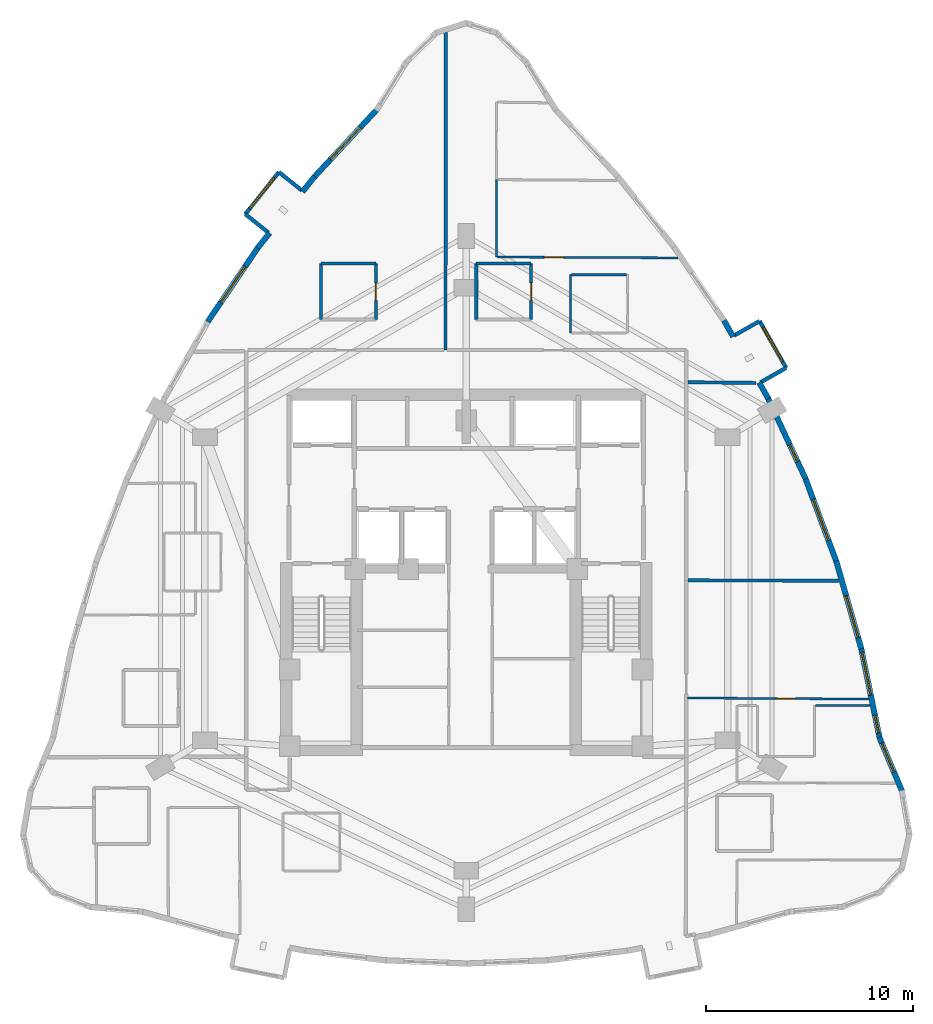
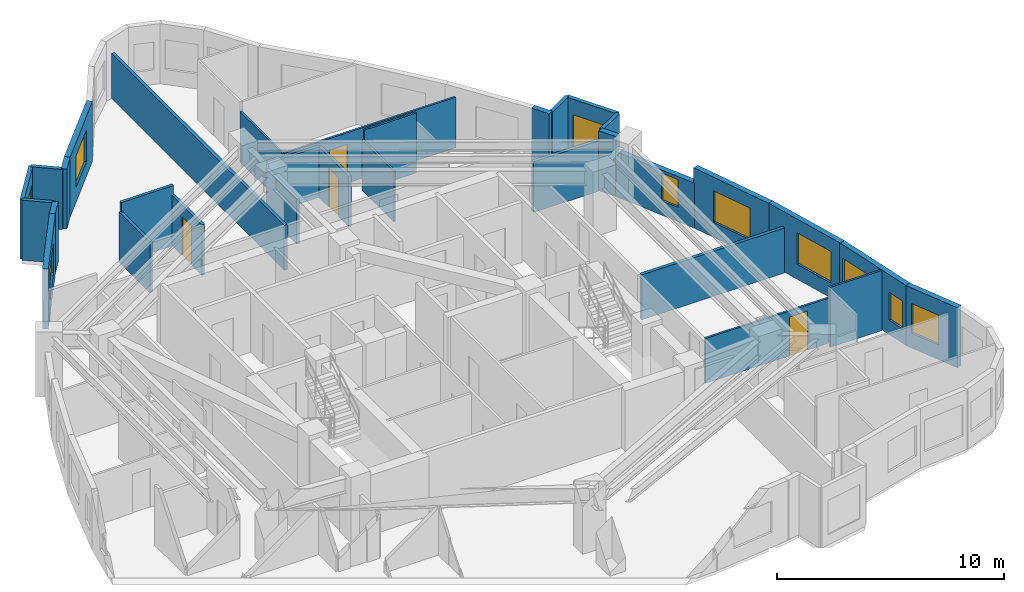
# One storey, part 9 of 11: 32 walls, 10 windows, 4 doors, 14 openings.
"""IFC4 building model written with IfcOpenShell, lengths in metres."""

from ifc_helpers import new_model, si_unit, direction, frame, frame_2d, origin, place, context, subcontext, project, spatial, rectangle, extrude, material, layer, layer_set, type_object, element, fill, save


model = new_model("IFC4")

# Units and contexts
model_context = context("Model", 3, precision=1e-05, world=origin(), true_north=direction((0.0, 1.0)))
body_context = subcontext(model_context, "Body", "Model", "MODEL_VIEW")
ifc_project = project(units=[si_unit("LENGTHUNIT", "METRE"), si_unit("AREAUNIT", "SQUARE_METRE"), si_unit("VOLUMEUNIT", "CUBIC_METRE"), si_unit("PLANEANGLEUNIT", "RADIAN"), si_unit("MASSUNIT", "GRAM", prefix="KILO")], contexts=[model_context])

# Site, building, storey
site_placement = place(None, origin())
site = spatial("IfcSite", under=ifc_project, at=site_placement, CompositionType="ELEMENT")
building_placement = place(site_placement, origin())
building = spatial("IfcBuilding", under=site, at=building_placement, Name="Miruveldt Soraemaru", CompositionType="ELEMENT")
storey_placement = place(building_placement, frame((0.0, 0.0, 156.39990234375)))
storey = spatial("IfcBuildingStorey", under=building, at=storey_placement, Name="L43", CompositionType="ELEMENT", Elevation=156.39990234375)

# Walls
ifc_material_1 = material(Name="White powder-coated aluminium EN AW-6060 T6", Category="aluminium")
ifc_layer_1 = layer(ifc_material_1, 0.18994140625, Name="White powder-coated aluminium EN AW-6060 T6", Category="aluminium")
ifc_layer_set_1 = layer_set([ifc_layer_1], Name="White powder-coated aluminium EN AW-6060 T6")
wall_type_1 = type_object("IfcWallType", Name="WALL-BAY-ALU190", PredefinedType="SOLIDWALL", material=ifc_layer_set_1)
for number, where, z_axis, x_axis, name in (
    (1, (36.082275390625, 62.29296875, 0.0), (0.0, 0.0, 1.0), (-0.781737193764, 0.623608017817, 0.0), "L43 Bay Window Side Cheek 4L"),
    (2, (33.3466796875, 61.149169921875, 0.0), (0.0, 0.0, 1.0), (0.781737193764, -0.623608017817, 0.0), "L43 Bay Window Side Cheek 4R"),
):
    element("IfcWall", number, at=place(storey_placement, frame(where, z_axis=z_axis, x_axis=x_axis)), inside=storey, type_object=wall_type_1, Name=name, PredefinedType="SOLIDWALL", context=body_context, shape_type="SweptSolid", body=[
        extrude(rectangle(XDim=1.425048828125, YDim=0.18994140625, at=frame_2d((0.71240234375, 0.0))), origin(), (0.0, 0.0, 1.0), 3.235107421875),
    ])

# Wall, opening, window
wall_1_placement = place(storey_placement, frame((34.96826171875, 63.181640625, 0.0), z_axis=(0.0, 0.0, 1.0), x_axis=(-0.623663926583, -0.781692590907, 0.0)))
wall_1 = element("IfcWall", 3, at=wall_1_placement, inside=storey, type_object=wall_type_1, Name="L43 Bay Window Front Frame 4", PredefinedType="SOLIDWALL", context=body_context, shape_type="SweptSolid", body=[
    extrude(rectangle(XDim=2.60009765625, YDim=0.18994140625, at=frame_2d((1.300048828125, 0.0))), origin(), (0.0, 0.0, 1.0), 3.235107421875),
])
opening_1_placement = place(wall_1_placement, frame((0.35009765625, 0.0, 0.550048828125)))
opening_1 = element("IfcOpeningElement", 4, at=opening_1_placement, cuts=wall_1, Name="Opening WN-6", PredefinedType="OPENING", context=body_context, shape_type="SweptSolid", body=[
    extrude(rectangle(XDim=1.89990234375, YDim=1.85009765625, at=frame_2d((0.949951171875, 0.925048828125))), frame((0.0, 0.10498046875, 0.0), z_axis=(0.0, -1.0, 0.0), x_axis=(1.0, 0.0, 0.0)), (0.0, 0.0, 1.0), 0.2099609375),
])
ifc_material_2 = material(Name="Triple low-e insulated glazing", Category="glass")
window_type_1 = type_object("IfcWindowType", Name="WIN-BAYW-1900x1850", PartitioningType="SINGLE_PANEL", PredefinedType="WINDOW", material=ifc_material_2)
window_1_placement = place(opening_1_placement, origin())
window_1 = element("IfcWindow", 5, at=window_1_placement, inside=storey, type_object=window_type_1, Name="L43 Projecting Bay Window 4", OverallHeight=1.85009765625, OverallWidth=1.89990234375, PartitioningType="SINGLE_PANEL", PredefinedType="WINDOW", context=body_context, shape_type="SweptSolid", body=[
    extrude(rectangle(XDim=1.89990234375, YDim=1.85009765625, at=frame_2d((0.949951171875, 0.925048828125))), frame((0.0, 0.030029296875, 0.0), z_axis=(0.0, -1.0, 0.0), x_axis=(1.0, 0.0, 0.0)), (0.0, 0.0, 1.0), 0.06005859375),
])
fill(opening_1, window_1)

# Walls
wall_2_placement = place(storey_placement, frame((58.1845703125, 53.0380859375, 0.0), z_axis=(0.0, 0.0, 1.0), x_axis=(0.869799191674, 0.493405883794, 0.0)))
element("IfcWall", 6, at=wall_2_placement, inside=storey, type_object=wall_type_1, Name="L43 Bay Window Side Cheek 3L", PredefinedType="SOLIDWALL", context=body_context, shape_type="SweptSolid", body=[
    extrude(rectangle(XDim=1.425048828125, YDim=0.18994140625, at=frame_2d((0.71240234375, 0.0))), origin(), (0.0, 0.0, 1.0), 3.235107421875),
])
wall_3_placement = place(storey_placement, frame((58.141357421875, 56.002685546875, 0.0), z_axis=(0.0, 0.0, 1.0), x_axis=(-0.869872713252, -0.493276253979, 0.0)))
element("IfcWall", 7, at=wall_3_placement, inside=storey, type_object=wall_type_1, Name="L43 Bay Window Side Cheek 3R", PredefinedType="SOLIDWALL", context=body_context, shape_type="SweptSolid", body=[
    extrude(rectangle(XDim=1.4248046875, YDim=0.18994140625, at=frame_2d((0.71240234375, 0.0))), origin(), (0.0, 0.0, 1.0), 3.235107421875),
])

# Wall, opening, window
wall_4_placement = place(storey_placement, frame((59.424072265625, 53.7412109375, 0.0), z_axis=(0.0, 0.0, 1.0), x_axis=(-0.493365555553, 0.869822067203, 0.0)))
wall_4 = element("IfcWall", 8, at=wall_4_placement, inside=storey, type_object=wall_type_1, Name="L43 Bay Window Front Frame 3", PredefinedType="SOLIDWALL", context=body_context, shape_type="SweptSolid", body=[
    extrude(rectangle(XDim=2.599853515625, YDim=0.18994140625, at=frame_2d((1.2998046875, 0.0))), origin(), (0.0, 0.0, 1.0), 3.235107421875),
])
opening_2_placement = place(wall_4_placement, frame((0.35009765625, 0.0, 0.550048828125)))
opening_2 = element("IfcOpeningElement", 9, at=opening_2_placement, cuts=wall_4, Name="Opening WN-6", PredefinedType="OPENING", context=body_context, shape_type="SweptSolid", body=[
    extrude(rectangle(XDim=1.89990234375, YDim=1.85009765625, at=frame_2d((0.949951171875, 0.925048828125))), frame((0.0, 0.10498046875, 0.0), z_axis=(0.0, -1.0, 0.0), x_axis=(1.0, 0.0, 0.0)), (0.0, 0.0, 1.0), 0.2099609375),
])
window_2_placement = place(opening_2_placement, origin())
window_2 = element("IfcWindow", 10, at=window_2_placement, inside=storey, type_object=window_type_1, Name="L43 Projecting Bay Window 3", OverallHeight=1.85009765625, OverallWidth=1.89990234375, PartitioningType="SINGLE_PANEL", PredefinedType="WINDOW", context=body_context, shape_type="SweptSolid", body=[
    extrude(rectangle(XDim=1.89990234375, YDim=1.85009765625, at=frame_2d((0.949951171875, 0.925048828125))), frame((0.0, 0.030029296875, 0.0), z_axis=(0.0, -1.0, 0.0), x_axis=(1.0, 0.0, 0.0)), (0.0, 0.0, 1.0), 0.06005859375),
])
fill(opening_2, window_2)

ifc_material_3 = material(Name="Precast concrete C45/55 (45 MPa)", Category="concrete")
ifc_layer_2 = layer(ifc_material_3, 0.27001953125, Name="Precast concrete C45/55 (45 MPa)", Category="concrete")
ifc_layer_set_2 = layer_set([ifc_layer_2], Name="Precast concrete C45/55 (45 MPa)")
wall_type_2 = type_object("IfcWallType", Name="WALL-EXT-PC270", PredefinedType="SOLIDWALL", material=ifc_layer_set_2)
wall_5_placement = place(storey_placement, frame((39.70263671875, 66.203369140625, 0.0), z_axis=(0.0, 0.0, 1.0), x_axis=(-0.680872139793, -0.732402300142, 0.0)))
wall_5 = element("IfcWall", 11, at=wall_5_placement, inside=storey, type_object=wall_type_2, Name="L43 Precast Concrete Facade Wall 7", PredefinedType="SOLIDWALL", context=body_context, shape_type="SweptSolid", body=[
    extrude(rectangle(XDim=4.491455078125, YDim=0.27001953125, at=frame_2d((2.24560546875, 0.0))), origin(), (0.0, 0.0, 1.0), 3.235107421875),
])
opening_3_placement = place(wall_5_placement, frame((1.195068359375, 0.0, 0.800048828125)))
opening_3 = element("IfcOpeningElement", 12, at=opening_3_placement, cuts=wall_5, Name="Opening WN-1", PredefinedType="OPENING", context=body_context, shape_type="SweptSolid", body=[
    extrude(rectangle(XDim=2.10009765625, YDim=1.699951171875, at=frame_2d((1.050048828125, 0.85009765625))), frame((0.0, 0.14501953125, 0.0), z_axis=(0.0, -1.0, 0.0), x_axis=(1.0, 0.0, 0.0)), (0.0, 0.0, 1.0), 0.2900390625),
])
window_type_2 = type_object("IfcWindowType", Name="WIN-PUNCH-2100x1700", PartitioningType="SINGLE_PANEL", PredefinedType="WINDOW", material=ifc_material_2)
window_3_placement = place(opening_3_placement, origin())
window_3 = element("IfcWindow", 13, at=window_3_placement, inside=storey, type_object=window_type_2, Name="L43 Punched Triple-Glazed Window 07.1", OverallHeight=1.699951171875, OverallWidth=2.10009765625, PartitioningType="SINGLE_PANEL", PredefinedType="WINDOW", context=body_context, shape_type="SweptSolid", body=[
    extrude(rectangle(XDim=2.10009765625, YDim=1.699951171875, at=frame_2d((1.050048828125, 0.85009765625))), frame((0.0, 0.030029296875, 0.0), z_axis=(0.0, -1.0, 0.0), x_axis=(1.0, 0.0, 0.0)), (0.0, 0.0, 1.0), 0.06005859375),
])
fill(opening_3, window_3)

# Walls
wall_6_placement = place(storey_placement, frame((36.690185546875, 62.966796875, 0.0), z_axis=(0.0, 0.0, 1.0), x_axis=(-0.623485377365, -0.781835010863, 0.0)))
element("IfcWall", 14, at=wall_6_placement, inside=storey, type_object=wall_type_2, Name="L43 Precast Pier Wall 8A", PredefinedType="SOLIDWALL", context=body_context, shape_type="SweptSolid", body=[
    extrude(rectangle(XDim=0.935791015625, YDim=0.27001953125, at=frame_2d((0.4677734375, 0.0))), origin(), (0.0, 0.0, 1.0), 3.235107421875),
])
wall_7_placement = place(storey_placement, frame((34.5224609375, 60.249755859375, 0.0), z_axis=(0.0, 0.0, 1.0), x_axis=(-0.623358229421, -0.781936389876, 0.0)))
element("IfcWall", 15, at=wall_7_placement, inside=storey, type_object=wall_type_2, Name="L43 Precast Pier Wall 8B", PredefinedType="SOLIDWALL", context=body_context, shape_type="SweptSolid", body=[
    extrude(rectangle(XDim=0.93603515625, YDim=0.27001953125, at=frame_2d((0.468017578125, 0.0))), origin(), (0.0, 0.0, 1.0), 3.235107421875),
])

# Wall, opening, window
wall_8_placement = place(storey_placement, frame((33.980224609375, 59.57421875, 0.0), z_axis=(0.0, 0.0, 1.0), x_axis=(-0.560825848464, -0.827933794271, 0.0)))
wall_8 = element("IfcWall", 16, at=wall_8_placement, inside=storey, type_object=wall_type_2, Name="L43 Precast Concrete Facade Wall 9", PredefinedType="SOLIDWALL", context=body_context, shape_type="SweptSolid", body=[
    extrude(rectangle(XDim=4.35791015625, YDim=0.27001953125, at=frame_2d((2.178955078125, 0.0))), origin(), (0.0, 0.0, 1.0), 3.235107421875),
])
opening_4_placement = place(wall_8_placement, frame((1.12890625, 0.0, 0.800048828125)))
opening_4 = element("IfcOpeningElement", 17, at=opening_4_placement, cuts=wall_8, Name="Opening WN-1", PredefinedType="OPENING", context=body_context, shape_type="SweptSolid", body=[
    extrude(rectangle(XDim=2.10009765625, YDim=1.699951171875, at=frame_2d((1.050048828125, 0.85009765625))), frame((0.0, 0.14501953125, 0.0), z_axis=(0.0, -1.0, 0.0), x_axis=(1.0, 0.0, 0.0)), (0.0, 0.0, 1.0), 0.2900390625),
])
window_4_placement = place(opening_4_placement, origin())
window_4 = element("IfcWindow", 18, at=window_4_placement, inside=storey, type_object=window_type_2, Name="L43 Punched Triple-Glazed Window 09.1", OverallHeight=1.699951171875, OverallWidth=2.10009765625, PartitioningType="SINGLE_PANEL", PredefinedType="WINDOW", context=body_context, shape_type="SweptSolid", body=[
    extrude(rectangle(XDim=2.10009765625, YDim=1.699951171875, at=frame_2d((1.050048828125, 0.85009765625))), frame((0.0, 0.030029296875, 0.0), z_axis=(0.0, -1.0, 0.0), x_axis=(1.0, 0.0, 0.0)), (0.0, 0.0, 1.0), 0.06005859375),
])
fill(opening_4, window_4)

wall_9_placement = place(storey_placement, frame((65.021728515625, 33.308837890625, 0.0), z_axis=(0.0, 0.0, 1.0), x_axis=(-0.38860845705, 0.921402988442, 0.0)))
wall_9 = element("IfcWall", 19, at=wall_9_placement, inside=storey, type_object=wall_type_2, Name="L43 Precast Concrete Facade Wall 34", PredefinedType="SOLIDWALL", context=body_context, shape_type="SweptSolid", body=[
    extrude(rectangle(XDim=2.849609375, YDim=0.27001953125, at=frame_2d((1.4248046875, 0.0))), origin(), (0.0, 0.0, 1.0), 3.235107421875),
])
opening_5_placement = place(wall_9_placement, frame((1.050048828125, 0.0, 0.800048828125)))
opening_5 = element("IfcOpeningElement", 20, at=opening_5_placement, cuts=wall_9, Name="Opening WN-3", PredefinedType="OPENING", context=body_context, shape_type="SweptSolid", body=[
    extrude(rectangle(XDim=1.5, YDim=1.60009765625, at=frame_2d((0.75, 0.800048828125))), frame((0.0, 0.14501953125, 0.0), z_axis=(0.0, -1.0, 0.0), x_axis=(1.0, 0.0, 0.0)), (0.0, 0.0, 1.0), 0.2900390625),
])
window_type_3 = type_object("IfcWindowType", Name="WIN-PUNCH-1500x1600", PartitioningType="SINGLE_PANEL", PredefinedType="WINDOW", material=ifc_material_2)
window_5_placement = place(opening_5_placement, origin())
window_5 = element("IfcWindow", 21, at=window_5_placement, inside=storey, type_object=window_type_3, Name="L43 Punched Triple-Glazed Window 34.1", OverallHeight=1.60009765625, OverallWidth=1.5, PartitioningType="SINGLE_PANEL", PredefinedType="WINDOW", context=body_context, shape_type="SweptSolid", body=[
    extrude(rectangle(XDim=1.5, YDim=1.60009765625, at=frame_2d((0.75, 0.800048828125))), frame((0.0, 0.030029296875, 0.0), z_axis=(0.0, -1.0, 0.0), x_axis=(1.0, 0.0, 0.0)), (0.0, 0.0, 1.0), 0.06005859375),
])
fill(opening_5, window_5)

# Wall, openings, windows
wall_10_placement = place(storey_placement, frame((63.934814453125, 35.8681640625, 0.0), z_axis=(0.0, 0.0, 1.0), x_axis=(-0.201559360884, 0.979476300908, 0.0)))
wall_10 = element("IfcWall", 22, at=wall_10_placement, inside=storey, type_object=wall_type_2, Name="L43 Precast Concrete Facade Wall 35", PredefinedType="SOLIDWALL", context=body_context, shape_type="SweptSolid", body=[
    extrude(rectangle(XDim=4.491455078125, YDim=0.27001953125, at=frame_2d((2.24560546875, 0.0))), origin(), (0.0, 0.0, 1.0), 3.235107421875),
])
opening_6_placement = place(wall_10_placement, frame((0.259033203125, 0.0, 0.780029296875)))
opening_6 = element("IfcOpeningElement", 23, at=opening_6_placement, cuts=wall_10, Name="Opening WN-7", PredefinedType="OPENING", context=body_context, shape_type="SweptSolid", body=[
    extrude(rectangle(XDim=0.89990234375, YDim=1.5, at=frame_2d((0.449951171875, 0.75))), frame((0.0, 0.14501953125, 0.0), z_axis=(0.0, -1.0, 0.0), x_axis=(1.0, 0.0, 0.0)), (0.0, 0.0, 1.0), 0.2900390625),
])
opening_7_placement = place(wall_10_placement, frame((2.14501953125, 0.0, 0.800048828125)))
opening_7 = element("IfcOpeningElement", 24, at=opening_7_placement, cuts=wall_10, Name="Opening WN-1", PredefinedType="OPENING", context=body_context, shape_type="SweptSolid", body=[
    extrude(rectangle(XDim=2.10009765625, YDim=1.699951171875, at=frame_2d((1.050048828125, 0.85009765625))), frame((0.0, 0.14501953125, 0.0), z_axis=(0.0, -1.0, 0.0), x_axis=(1.0, 0.0, 0.0)), (0.0, 0.0, 1.0), 0.2900390625),
])
window_6_placement = place(opening_7_placement, origin())
window_6 = element("IfcWindow", 25, at=window_6_placement, inside=storey, type_object=window_type_2, Name="L43 Punched Triple-Glazed Window 35.2", OverallHeight=1.699951171875, OverallWidth=2.10009765625, PartitioningType="SINGLE_PANEL", PredefinedType="WINDOW", context=body_context, shape_type="SweptSolid", body=[
    extrude(rectangle(XDim=2.10009765625, YDim=1.699951171875, at=frame_2d((1.050048828125, 0.85009765625))), frame((0.0, 0.030029296875, 0.0), z_axis=(0.0, -1.0, 0.0), x_axis=(1.0, 0.0, 0.0)), (0.0, 0.0, 1.0), 0.06005859375),
])
fill(opening_7, window_6)
window_type_4 = type_object("IfcWindowType", Name="WIN-PUNCH-900x1500", PartitioningType="SINGLE_PANEL", PredefinedType="WINDOW", material=ifc_material_2)
window_7_placement = place(opening_6_placement, origin())
window_7 = element("IfcWindow", 26, at=window_7_placement, inside=storey, type_object=window_type_4, Name="L43 Punched Triple-Glazed Window 35.1", OverallHeight=1.5, OverallWidth=0.89990234375, PartitioningType="SINGLE_PANEL", PredefinedType="WINDOW", context=body_context, shape_type="SweptSolid", body=[
    extrude(rectangle(XDim=0.89990234375, YDim=1.5, at=frame_2d((0.449951171875, 0.75))), frame((0.0, 0.030029296875, 0.0), z_axis=(0.0, -1.0, 0.0), x_axis=(1.0, 0.0, 0.0)), (0.0, 0.0, 1.0), 0.06005859375),
])
fill(opening_6, window_7)

# Wall, opening, window
wall_11_placement = place(storey_placement, frame((63.046142578125, 40.199462890625, 0.0), z_axis=(0.0, 0.0, 1.0), x_axis=(-0.274962298685, 0.961455008985, 0.0)))
wall_11 = element("IfcWall", 27, at=wall_11_placement, inside=storey, type_object=wall_type_2, Name="L43 Precast Concrete Facade Wall 36", PredefinedType="SOLIDWALL", context=body_context, shape_type="SweptSolid", body=[
    extrude(rectangle(XDim=4.412109375, YDim=0.27001953125, at=frame_2d((2.2060546875, 0.0))), origin(), (0.0, 0.0, 1.0), 3.235107421875),
])
opening_8_placement = place(wall_11_placement, frame((0.55810546875, 0.0, 0.800048828125)))
opening_8 = element("IfcOpeningElement", 28, at=opening_8_placement, cuts=wall_11, Name="Opening WN-1", PredefinedType="OPENING", context=body_context, shape_type="SweptSolid", body=[
    extrude(rectangle(XDim=2.10009765625, YDim=1.699951171875, at=frame_2d((1.050048828125, 0.85009765625))), frame((0.0, 0.14501953125, 0.0), z_axis=(0.0, -1.0, 0.0), x_axis=(1.0, 0.0, 0.0)), (0.0, 0.0, 1.0), 0.2900390625),
])
window_8_placement = place(opening_8_placement, origin())
window_8 = element("IfcWindow", 29, at=window_8_placement, inside=storey, type_object=window_type_2, Name="L43 Punched Triple-Glazed Window 36.1", OverallHeight=1.699951171875, OverallWidth=2.10009765625, PartitioningType="SINGLE_PANEL", PredefinedType="WINDOW", context=body_context, shape_type="SweptSolid", body=[
    extrude(rectangle(XDim=2.10009765625, YDim=1.699951171875, at=frame_2d((1.050048828125, 0.85009765625))), frame((0.0, 0.030029296875, 0.0), z_axis=(0.0, -1.0, 0.0), x_axis=(1.0, 0.0, 0.0)), (0.0, 0.0, 1.0), 0.06005859375),
])
fill(opening_8, window_8)

wall_12_placement = place(storey_placement, frame((61.85498046875, 44.375, 0.0), z_axis=(0.0, 0.0, 1.0), x_axis=(-0.349059830359, 0.937100440097, 0.0)))
wall_12 = element("IfcWall", 30, at=wall_12_placement, inside=storey, type_object=wall_type_2, Name="L43 Precast Concrete Facade Wall 37", PredefinedType="SOLIDWALL", context=body_context, shape_type="SweptSolid", body=[
    extrude(rectangle(XDim=4.358154296875, YDim=0.27001953125, at=frame_2d((2.17919921875, 0.0))), origin(), (0.0, 0.0, 1.0), 3.235107421875),
])
opening_9_placement = place(wall_12_placement, frame((1.12890625, 0.0, 0.800048828125)))
opening_9 = element("IfcOpeningElement", 31, at=opening_9_placement, cuts=wall_12, Name="Opening WN-1", PredefinedType="OPENING", context=body_context, shape_type="SweptSolid", body=[
    extrude(rectangle(XDim=2.10009765625, YDim=1.699951171875, at=frame_2d((1.050048828125, 0.85009765625))), frame((0.0, 0.14501953125, 0.0), z_axis=(0.0, -1.0, 0.0), x_axis=(1.0, 0.0, 0.0)), (0.0, 0.0, 1.0), 0.2900390625),
])
window_9_placement = place(opening_9_placement, origin())
window_9 = element("IfcWindow", 32, at=window_9_placement, inside=storey, type_object=window_type_2, Name="L43 Punched Triple-Glazed Window 37.1", OverallHeight=1.699951171875, OverallWidth=2.10009765625, PartitioningType="SINGLE_PANEL", PredefinedType="WINDOW", context=body_context, shape_type="SweptSolid", body=[
    extrude(rectangle(XDim=2.10009765625, YDim=1.699951171875, at=frame_2d((1.050048828125, 0.85009765625))), frame((0.0, 0.030029296875, 0.0), z_axis=(0.0, -1.0, 0.0), x_axis=(1.0, 0.0, 0.0)), (0.0, 0.0, 1.0), 0.06005859375),
])
fill(opening_9, window_9)

wall_13_placement = place(storey_placement, frame((60.36083984375, 48.39453125, 0.0), z_axis=(0.0, 0.0, 1.0), x_axis=(-0.422329907361, 0.906442193054, 0.0)))
wall_13 = element("IfcWall", 33, at=wall_13_placement, inside=storey, type_object=wall_type_2, Name="L43 Precast Concrete Facade Wall 38", PredefinedType="SOLIDWALL", context=body_context, shape_type="SweptSolid", body=[
    extrude(rectangle(XDim=4.3310546875, YDim=0.27001953125, at=frame_2d((2.16552734375, 0.0))), origin(), (0.0, 0.0, 1.0), 2.423095703125),
])
opening_10_placement = place(wall_13_placement, frame((0.907958984375, 0.0, 0.762939453125)))
opening_10 = element("IfcOpeningElement", 34, at=opening_10_placement, cuts=wall_13, Name="Opening WN-7", PredefinedType="OPENING", context=body_context, shape_type="SweptSolid", body=[
    extrude(rectangle(XDim=0.89990234375, YDim=1.5, at=frame_2d((0.449951171875, 0.75))), frame((0.0, 0.14501953125, 0.0), z_axis=(0.0, -1.0, 0.0), x_axis=(1.0, 0.0, 0.0)), (0.0, 0.0, 1.0), 0.2900390625),
])
window_10_placement = place(opening_10_placement, origin())
window_10 = element("IfcWindow", 35, at=window_10_placement, inside=storey, type_object=window_type_4, Name="L43 Punched Triple-Glazed Window 38.1", OverallHeight=1.5, OverallWidth=0.89990234375, PartitioningType="SINGLE_PANEL", PredefinedType="WINDOW", context=body_context, shape_type="SweptSolid", body=[
    extrude(rectangle(XDim=0.89990234375, YDim=1.5, at=frame_2d((0.449951171875, 0.75))), frame((0.0, 0.030029296875, 0.0), z_axis=(0.0, -1.0, 0.0), x_axis=(1.0, 0.0, 0.0)), (0.0, 0.0, 1.0), 0.06005859375),
])
fill(opening_10, window_10)

# Walls
wall_14_placement = place(storey_placement, frame((58.563720703125, 52.25830078125, 0.0), z_axis=(0.0, 0.0, 1.0), x_axis=(-0.493287755382, 0.869866191083, 0.0)))
element("IfcWall", 36, at=wall_14_placement, inside=storey, type_object=wall_type_2, Name="L43 Precast Pier Wall 39A", PredefinedType="SOLIDWALL", context=body_context, shape_type="SweptSolid", body=[
    extrude(rectangle(XDim=0.895263671875, YDim=0.27001953125, at=frame_2d((0.44775390625, 0.0))), origin(), (0.0, 0.0, 1.0), 3.235107421875),
])
wall_15_placement = place(storey_placement, frame((56.868896484375, 55.24658203125, 0.0), z_axis=(0.0, 0.0, 1.0), x_axis=(-0.493494045792, 0.869749174629, 0.0)))
element("IfcWall", 37, at=wall_15_placement, inside=storey, type_object=wall_type_2, Name="L43 Precast Pier Wall 39B", PredefinedType="SOLIDWALL", context=body_context, shape_type="SweptSolid", body=[
    extrude(rectangle(XDim=0.8955078125, YDim=0.27001953125, at=frame_2d((0.44775390625, 0.0))), origin(), (0.0, 0.0, 1.0), 3.235107421875),
])

# Wall, opening, door
ifc_material_4 = material(Name="Gypsum plasterboard lining", Category="gypsum")
ifc_layer_3 = layer(ifc_material_4, 0.10009765625, Name="Gypsum plasterboard lining", Category="gypsum")
ifc_layer_set_3 = layer_set([ifc_layer_3], Name="Gypsum plasterboard lining")
wall_type_3 = type_object("IfcWallType", Name="WALL-INT-P100", PredefinedType="PARTITIONING", material=ifc_layer_set_3)
wall_16_placement = place(storey_placement, frame((63.395751953125, 37.778564453125, 0.0), z_axis=(0.0, 0.0, 1.0), x_axis=(-0.999982593788, 0.005900179729, 0.0)))
wall_16 = element("IfcWall", 38, at=wall_16_placement, inside=storey, type_object=wall_type_3, Name="L43 Partition Wall 51", PredefinedType="PARTITIONING", context=body_context, shape_type="SweptSolid", body=[
    extrude(rectangle(XDim=8.73095703125, YDim=0.10009765625, at=frame_2d((4.365478515625, 0.0))), origin(), (0.0, 0.0, 1.0), 2.423095703125),
])
opening_11_placement = place(wall_16_placement, frame((3.531005859375, 0.0, 0.0)))
opening_11 = element("IfcOpeningElement", 39, at=opening_11_placement, cuts=wall_16, Name="Opening D3A", PredefinedType="OPENING", context=body_context, shape_type="SweptSolid", body=[
    extrude(rectangle(XDim=0.919921875, YDim=2.10009765625, at=frame_2d((0.4599609375, 1.050048828125))), frame((0.0, 0.06005859375, 0.0), z_axis=(0.0, -1.0, 0.0), x_axis=(1.0, 0.0, 0.0)), (0.0, 0.0, 1.0), 0.1201171875),
])
ifc_material_5 = material(Name="Anodised aluminium EN AW-6063 T6", Category="aluminium")
door_type_1 = type_object("IfcDoorType", Name="DOOR-INT-920", OperationType="NOTDEFINED", PredefinedType="DOOR", material=ifc_material_5)
door_1_placement = place(opening_11_placement, origin())
door_1 = element("IfcDoor", 40, at=door_1_placement, inside=storey, type_object=door_type_1, Name="L43 Unit 4305 KIT Door", OperationType="SINGLE_SWING_RIGHT", OverallHeight=2.10009765625, OverallWidth=0.919921875, PredefinedType="DOOR", context=body_context, shape_type="SweptSolid", body=[
    extrude(rectangle(XDim=0.919921875, YDim=2.10009765625, at=frame_2d((0.4599609375, 1.050048828125))), frame((0.0, 0.02490234375, 0.0), z_axis=(0.0, -1.0, 0.0), x_axis=(1.0, 0.0, 0.0)), (0.0, 0.0, 1.0), 0.050048828125),
])
fill(opening_11, door_1)

wall_17_placement = place(storey_placement, frame((54.197998046875, 59.04296875, 0.0), z_axis=(0.0, 0.0, 1.0), x_axis=(-0.99998991572, 0.004490930657, 0.0)))
wall_17 = element("IfcWall", 41, at=wall_17_placement, inside=storey, type_object=wall_type_3, Name="L43 Partition Wall 25", PredefinedType="PARTITIONING", context=body_context, shape_type="SweptSolid", body=[
    extrude(rectangle(XDim=8.697998046875, YDim=0.10009765625, at=frame_2d((4.34912109375, 0.0))), origin(), (0.0, 0.0, 1.0), 2.72314453125),
])
opening_12_placement = place(wall_17_placement, frame((5.509033203125, 0.0, 0.0)))
opening_12 = element("IfcOpeningElement", 42, at=opening_12_placement, cuts=wall_17, Name="Opening D3A", PredefinedType="OPENING", context=body_context, shape_type="SweptSolid", body=[
    extrude(rectangle(XDim=0.919921875, YDim=2.10009765625, at=frame_2d((0.4599609375, 1.050048828125))), frame((0.0, 0.06005859375, 0.0), z_axis=(0.0, -1.0, 0.0), x_axis=(1.0, 0.0, 0.0)), (0.0, 0.0, 1.0), 0.1201171875),
])
door_2_placement = place(opening_12_placement, origin())
door_2 = element("IfcDoor", 43, at=door_2_placement, inside=storey, type_object=door_type_1, Name="L43 Unit 4302 BD1 Door", OperationType="SINGLE_SWING_LEFT", OverallHeight=2.10009765625, OverallWidth=0.919921875, PredefinedType="DOOR", context=body_context, shape_type="SweptSolid", body=[
    extrude(rectangle(XDim=0.919921875, YDim=2.10009765625, at=frame_2d((0.4599609375, 1.050048828125))), frame((0.0, 0.02490234375, 0.0), z_axis=(0.0, -1.0, 0.0), x_axis=(1.0, 0.0, 0.0)), (0.0, 0.0, 1.0), 0.050048828125),
])
fill(opening_12, door_2)

# Walls
wall_18_placement = place(storey_placement, frame((45.449951171875, 59.08203125, 0.0), z_axis=(0.0, 0.0, 1.0), x_axis=(0.0, 1.0, 0.0)))
element("IfcWall", 44, at=wall_18_placement, inside=storey, type_object=wall_type_3, Name="L43 Partition Wall 26", PredefinedType="PARTITIONING", context=body_context, shape_type="SweptSolid", body=[
    extrude(rectangle(XDim=3.73388671875, YDim=0.10009765625, at=frame_2d((1.866943359375, 0.0))), origin(), (0.0, 0.0, 1.0), 2.72314453125),
])
wall_19_placement = place(storey_placement, frame((49.031005859375, 58.22998046875, 0.0), z_axis=(0.0, 0.0, 1.0), x_axis=(0.0, -1.0, 0.0)))
element("IfcWall", 45, at=wall_19_placement, inside=storey, type_object=wall_type_3, Name="L43 Partition Wall 23", PredefinedType="PARTITIONING", context=body_context, shape_type="SweptSolid", body=[
    extrude(rectangle(XDim=2.800048828125, YDim=0.10009765625, at=frame_2d((1.39990234375, 0.0))), origin(), (0.0, 0.0, 1.0), 2.72314453125),
])
wall_20_placement = place(storey_placement, frame((51.73095703125, 58.22998046875, 0.0), z_axis=(0.0, 0.0, 1.0), x_axis=(-1.0, 0.0, 0.0)))
element("IfcWall", 46, at=wall_20_placement, inside=storey, type_object=wall_type_3, Name="L43 Partition Wall 22", PredefinedType="PARTITIONING", context=body_context, shape_type="SweptSolid", body=[
    extrude(rectangle(XDim=2.64990234375, YDim=0.10009765625, at=frame_2d((1.324951171875, 0.0))), origin(), (0.0, 0.0, 1.0), 3.235107421875),
])
wall_21_placement = place(storey_placement, frame((60.830078125, 37.47607421875, 0.0), z_axis=(0.0, 0.0, 1.0), x_axis=(0.999985440006, -0.005396274239, 0.0)))
element("IfcWall", 47, at=wall_21_placement, inside=storey, type_object=wall_type_3, Name="L43 Partition Wall 57", PredefinedType="PARTITIONING", context=body_context, shape_type="SweptSolid", body=[
    extrude(rectangle(XDim=2.6240234375, YDim=0.10009765625, at=frame_2d((1.31201171875, 0.0))), origin(), (0.0, 0.0, 1.0), 3.235107421875),
])

# Wall, opening, door
ifc_layer_4 = layer(ifc_material_4, 0.14990234375, Name="Gypsum plasterboard lining", Category="gypsum")
ifc_layer_set_4 = layer_set([ifc_layer_4], Name="Gypsum plasterboard lining")
wall_type_4 = type_object("IfcWallType", Name="WALL-INT-PLUMB", PredefinedType="PLUMBINGWALL", material=ifc_layer_set_4)
wall_22_placement = place(storey_placement, frame((39.64990234375, 56.080078125, 0.0), z_axis=(0.0, 0.0, 1.0), x_axis=(0.0, 1.0, 0.0)))
wall_22 = element("IfcWall", 48, at=wall_22_placement, inside=storey, type_object=wall_type_4, Name="L43 Partition Wall 11", PredefinedType="PLUMBINGWALL", context=body_context, shape_type="SweptSolid", body=[
    extrude(rectangle(XDim=2.699951171875, YDim=0.14990234375, at=frame_2d((1.35009765625, 0.0))), origin(), (0.0, 0.0, 1.0), 2.72314453125),
])
opening_13_placement = place(wall_22_placement, frame((0.909912109375, 0.0, 0.0)))
opening_13 = element("IfcOpeningElement", 49, at=opening_13_placement, cuts=wall_22, Name="Opening FD3", PredefinedType="OPENING", context=body_context, shape_type="SweptSolid", body=[
    extrude(rectangle(XDim=0.85009765625, YDim=2.10009765625, at=frame_2d((0.425048828125, 1.050048828125))), frame((0.0, 0.0849609375, 0.0), z_axis=(0.0, -1.0, 0.0), x_axis=(1.0, 0.0, 0.0)), (0.0, 0.0, 1.0), 0.169921875),
])
door_type_2 = type_object("IfcDoorType", Name="DOOR-FD3-850", OperationType="NOTDEFINED", PredefinedType="DOOR", material=ifc_material_5)
door_3_placement = place(opening_13_placement, origin())
door_3 = element("IfcDoor", 50, at=door_3_placement, inside=storey, type_object=door_type_2, Name="L43 Unit CL01 BTH Door", OperationType="SINGLE_SWING_LEFT", OverallHeight=2.10009765625, OverallWidth=0.85009765625, PredefinedType="DOOR", context=body_context, shape_type="SweptSolid", body=[
    extrude(rectangle(XDim=0.85009765625, YDim=2.10009765625, at=frame_2d((0.425048828125, 1.050048828125))), frame((0.0, 0.02490234375, 0.0), z_axis=(0.0, -1.0, 0.0), x_axis=(1.0, 0.0, 0.0)), (0.0, 0.0, 1.0), 0.050048828125),
])
fill(opening_13, door_3)

wall_23_placement = place(storey_placement, frame((47.131103515625, 56.080078125, 0.0), z_axis=(0.0, 0.0, 1.0), x_axis=(0.0, 1.0, 0.0)))
wall_23 = element("IfcWall", 51, at=wall_23_placement, inside=storey, type_object=wall_type_4, Name="L43 Partition Wall 17", PredefinedType="PLUMBINGWALL", context=body_context, shape_type="SweptSolid", body=[
    extrude(rectangle(XDim=2.699951171875, YDim=0.14990234375, at=frame_2d((1.35009765625, 0.0))), origin(), (0.0, 0.0, 1.0), 2.72314453125),
])
opening_14_placement = place(wall_23_placement, frame((0.909912109375, 0.0, 0.0)))
opening_14 = element("IfcOpeningElement", 52, at=opening_14_placement, cuts=wall_23, Name="Opening FD3", PredefinedType="OPENING", context=body_context, shape_type="SweptSolid", body=[
    extrude(rectangle(XDim=0.85009765625, YDim=2.10009765625, at=frame_2d((0.425048828125, 1.050048828125))), frame((0.0, 0.0849609375, 0.0), z_axis=(0.0, -1.0, 0.0), x_axis=(1.0, 0.0, 0.0)), (0.0, 0.0, 1.0), 0.169921875),
])
door_4_placement = place(opening_14_placement, origin())
door_4 = element("IfcDoor", 53, at=door_4_placement, inside=storey, type_object=door_type_2, Name="L43 Unit 4302 BTH Door", OperationType="SINGLE_SWING_LEFT", OverallHeight=2.10009765625, OverallWidth=0.85009765625, PredefinedType="DOOR", context=body_context, shape_type="SweptSolid", body=[
    extrude(rectangle(XDim=0.85009765625, YDim=2.10009765625, at=frame_2d((0.425048828125, 1.050048828125))), frame((0.0, 0.02490234375, 0.0), z_axis=(0.0, -1.0, 0.0), x_axis=(1.0, 0.0, 0.0)), (0.0, 0.0, 1.0), 0.050048828125),
])
fill(opening_14, door_4)

# Walls
wall_24_placement = place(storey_placement, frame((37.0, 58.780029296875, 0.0), z_axis=(0.0, 0.0, 1.0), x_axis=(0.0, -1.0, 0.0)))
element("IfcWall", 54, at=wall_24_placement, inside=storey, type_object=wall_type_4, Name="L43 Partition Wall 13", PredefinedType="PLUMBINGWALL", context=body_context, shape_type="SweptSolid", body=[
    extrude(rectangle(XDim=2.699951171875, YDim=0.14990234375, at=frame_2d((1.35009765625, 0.0))), origin(), (0.0, 0.0, 1.0), 2.72314453125),
])
wall_25_placement = place(storey_placement, frame((44.48095703125, 58.780029296875, 0.0), z_axis=(0.0, 0.0, 1.0), x_axis=(0.0, -1.0, 0.0)))
element("IfcWall", 55, at=wall_25_placement, inside=storey, type_object=wall_type_4, Name="L43 Partition Wall 19", PredefinedType="PLUMBINGWALL", context=body_context, shape_type="SweptSolid", body=[
    extrude(rectangle(XDim=2.699951171875, YDim=0.14990234375, at=frame_2d((1.35009765625, 0.0))), origin(), (0.0, 0.0, 1.0), 2.423095703125),
])
wall_26_placement = place(storey_placement, frame((39.64990234375, 58.780029296875, 0.0), z_axis=(0.0, 0.0, 1.0), x_axis=(-1.0, 0.0, 0.0)))
element("IfcWall", 56, at=wall_26_placement, inside=storey, type_object=wall_type_4, Name="L43 Partition Wall 12", PredefinedType="PLUMBINGWALL", context=body_context, shape_type="SweptSolid", body=[
    extrude(rectangle(XDim=2.64990234375, YDim=0.14990234375, at=frame_2d((1.324951171875, 0.0))), origin(), (0.0, 0.0, 1.0), 3.235107421875),
])
wall_27_placement = place(storey_placement, frame((47.131103515625, 58.780029296875, 0.0), z_axis=(0.0, 0.0, 1.0), x_axis=(-1.0, 0.0, 0.0)))
element("IfcWall", 57, at=wall_27_placement, inside=storey, type_object=wall_type_4, Name="L43 Partition Wall 18", PredefinedType="PLUMBINGWALL", context=body_context, shape_type="SweptSolid", body=[
    extrude(rectangle(XDim=2.650146484375, YDim=0.14990234375, at=frame_2d((1.3251953125, 0.0))), origin(), (0.0, 0.0, 1.0), 2.72314453125),
])
ifc_material_6 = material(Name="Concrete C40/50 (40 MPa)", Category="concrete")
ifc_layer_5 = layer(ifc_material_6, 0.159912109375, Name="Concrete C40/50 (40 MPa)", Category="concrete")
ifc_layer_set_5 = layer_set([ifc_layer_5], Name="Concrete C40/50 (40 MPa)")
wall_type_5 = type_object("IfcWallType", Name="WALL-INT-RC160", PredefinedType="SOLIDWALL", material=ifc_layer_set_5)
wall_28_placement = place(storey_placement, frame((43.0, 54.60302734375, 0.0), z_axis=(0.0, 0.0, 1.0), x_axis=(0.001309150165, 0.999999143063, 0.0)))
element("IfcWall", 58, at=wall_28_placement, inside=storey, type_object=wall_type_5, Name="L43 Partition Wall 15", PredefinedType="SOLIDWALL", context=body_context, shape_type="SweptSolid", body=[
    extrude(rectangle(XDim=15.2919921875, YDim=0.159912109375, at=frame_2d((7.64599609375, 0.0))), origin(), (0.0, 0.0, 1.0), 2.423095703125),
])
wall_29_placement = place(storey_placement, frame((54.68310546875, 43.5, 0.0), z_axis=(0.0, 0.0, 1.0), x_axis=(0.999996911225, -0.002485465738, 0.0)))
element("IfcWall", 59, at=wall_29_placement, inside=storey, type_object=wall_type_5, Name="L43 Partition Wall 46", PredefinedType="SOLIDWALL", context=body_context, shape_type="SweptSolid", body=[
    extrude(rectangle(XDim=7.268798828125, YDim=0.159912109375, at=frame_2d((3.63427734375, 0.0))), origin(), (0.0, 0.0, 1.0), 2.423095703125),
])
wall_30_placement = place(storey_placement, frame((54.679931640625, 53.049072265625, 0.0), z_axis=(0.0, 0.0, 1.0), x_axis=(0.999945775151, -0.010413777321, 0.0)))
element("IfcWall", 60, at=wall_30_placement, inside=storey, type_object=wall_type_5, Name="L43 Partition Wall 29", PredefinedType="SOLIDWALL", context=body_context, shape_type="SweptSolid", body=[
    extrude(rectangle(XDim=3.2822265625, YDim=0.159912109375, at=frame_2d((1.64111328125, 0.0))), origin(), (0.0, 0.0, 1.0), 2.72314453125),
])

save(model, "model.ifc")
